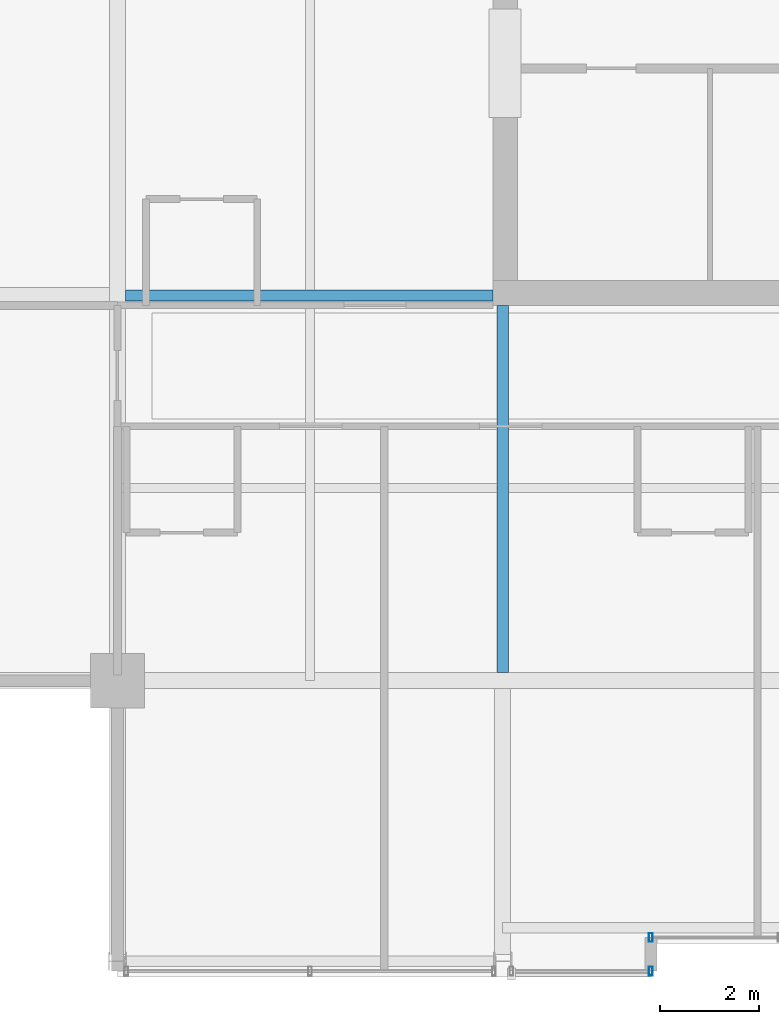
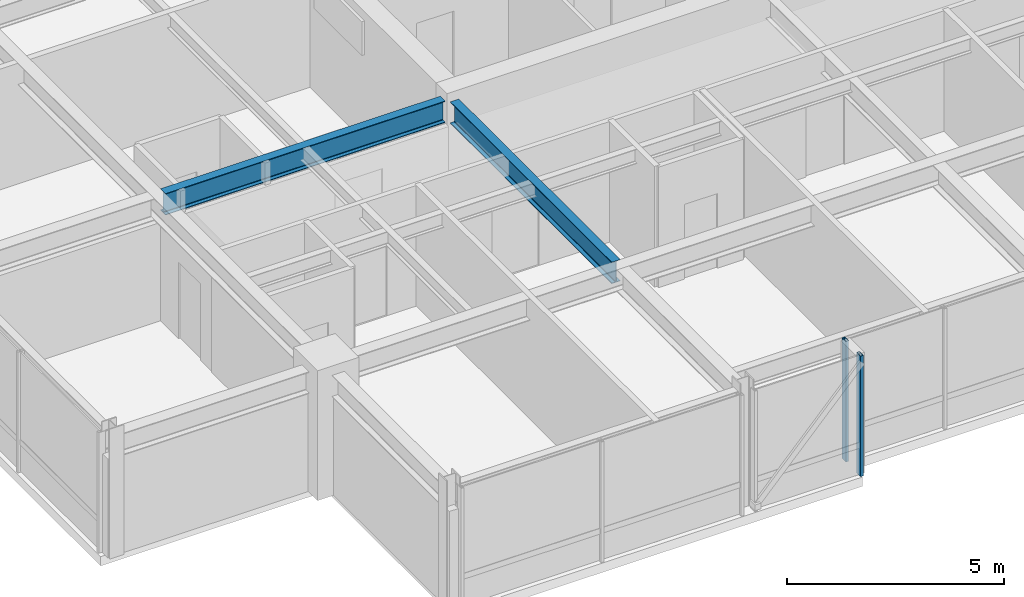
# One storey, part 6 of 33: 2 beams, 2 members, 2 elements without a shape of their own.
"""IFC4 building model written with IfcOpenShell, lengths in metres."""

from ifc_helpers import new_model, si_unit, direction, frame, origin, origin_2d, place, context, subcontext, project, spatial, hollow_rectangle, i_section, extrude, material, layer, layer_set, material_profile, profile_set, type_object, element, aggregate, save


model = new_model("IFC4")

# Units and contexts
model_context = context("Model", 3, precision=1e-05, world=origin(), true_north=direction((0.0, 1.0)))
body_context = subcontext(model_context, "Body", "Model", "MODEL_VIEW")
ifc_project = project(units=[si_unit("LENGTHUNIT", "METRE"), si_unit("AREAUNIT", "SQUARE_METRE"), si_unit("VOLUMEUNIT", "CUBIC_METRE"), si_unit("PLANEANGLEUNIT", "RADIAN"), si_unit("MASSUNIT", "GRAM", prefix="KILO")], contexts=[model_context])

# Site, building, storey
site_placement = place(None, origin())
site = spatial("IfcSite", under=ifc_project, at=site_placement, CompositionType="ELEMENT")
building_placement = place(site_placement, origin())
building = spatial("IfcBuilding", under=site, at=building_placement, Name="Drelvath Grand Hotel", CompositionType="ELEMENT")
storey_placement = place(building_placement, frame((0.0, 0.0, 268.64990234375)))
storey = spatial("IfcBuildingStorey", under=building, at=storey_placement, Name="L70", CompositionType="ELEMENT", Elevation=268.64990234375)

# Curtain wall, member
ifc_material_1 = material(Name="Platinum-Mist Anodised Aluminium Frame", Category="aluminium")
ifc_layer = layer(ifc_material_1, 0.199951171875)
ifc_layer_set = layer_set([ifc_layer], Name="Platinum-Mist Anodised Aluminium Frame")
curtain_wall_type = type_object("IfcCurtainWallType", Name="Stick Curtain Wall CW-05 Platinum Mist High-Rise", PredefinedType="NOTDEFINED", material=ifc_layer_set)
curtain_wall_1_placement = place(storey_placement, origin())
curtain_wall_1 = element("IfcCurtainWall", 1, at=curtain_wall_1_placement, inside=storey, type_object=curtain_wall_type, Name="L70 CW-05 Curtain Wall CW05-L70-SM1", PredefinedType="NOTDEFINED")
ifc_material_profile_1 = material_profile(ifc_material_1, hollow_rectangle(XDim=0.074951171875, YDim=0.179931640625, WallThickness=0.0048828125, at=origin_2d()), Name="HSS180X75X5")
ifc_profile_set_1 = profile_set([ifc_material_profile_1], Name="Platinum-Mist Anodised Aluminium Frame")
member_type = type_object("IfcMemberType", Name="Curtain Wall Vertical Mullion CW-05 HSS180X75X5", PredefinedType="MULLION", material=ifc_profile_set_1)
member_1_placement = place(storey_placement, frame((-5.39990234375, 5.60009765625, 0.0), z_axis=(0.0, 0.0, 1.0), x_axis=(1.0, 0.0, 0.0)))
member_1 = element("IfcMember", 2, at=member_1_placement, type_object=member_type, Name="CW05-L70-SM1 Mullion 3", PredefinedType="MULLION", context=body_context, shape_type="SweptSolid", body=[
    extrude(hollow_rectangle(XDim=0.074951171875, YDim=0.179931640625, WallThickness=0.0048828125, at=origin_2d()), origin(), (0.0, 0.0, 1.0), 3.39013671875),
])
aggregate(curtain_wall_1, [member_1])

curtain_wall_2_placement = place(storey_placement, origin())
curtain_wall_2 = element("IfcCurtainWall", 3, at=curtain_wall_2_placement, inside=storey, type_object=curtain_wall_type, Name="L70 CW-05 Curtain Wall CW05-L70-SW2", PredefinedType="NOTDEFINED")
member_2_placement = place(storey_placement, frame((-5.39990234375, 4.919921875, 0.0), z_axis=(0.0, 0.0, 1.0), x_axis=(1.0, 0.0, 0.0)))
member_2 = element("IfcMember", 4, at=member_2_placement, type_object=member_type, Name="CW05-L70-SW2 Mullion 1", PredefinedType="MULLION", context=body_context, shape_type="SweptSolid", body=[
    extrude(hollow_rectangle(XDim=0.074951171875, YDim=0.179931640625, WallThickness=0.0048828125, at=origin_2d()), origin(), (0.0, 0.0, 1.0), 3.39013671875),
])
aggregate(curtain_wall_2, [member_2])

# Beams
ifc_material_2 = material(Name="Steel ASTM A992 Gr 50", Category="steel")
ifc_material_profile_2 = material_profile(ifc_material_2, i_section(OverallWidth=0.228271484375, OverallDepth=0.607666015625, WebThickness=0.01123046875, FlangeThickness=0.017333984375, FilletRadius=0.02001953125, at=origin_2d()), Name="W24X76")
ifc_profile_set_2 = profile_set([ifc_material_profile_2], Name="Steel ASTM A992 Gr 50")
beam_type = type_object("IfcBeamType", Name="Primary Floor Girder W24X76", PredefinedType="BEAM", material=ifc_profile_set_2)
for number, where, z_axis, x_axis, name in (
    (5, (-16.0380859375, 18.60009765625, 3.086181640625), (1.0, 0.0, 0.0), (0.0, 1.0, 0.0), "L70 West Core Tie D"),
    (6, (-8.39990234375, 10.9619140625, 3.086181640625), (0.0, 1.0, 0.0), (-1.0, 0.0, 0.0), "L70 South Core Tie 4"),
):
    element("IfcBeam", number, at=place(storey_placement, frame(where, z_axis=z_axis, x_axis=x_axis)), inside=storey, type_object=beam_type, Name=name, PredefinedType="BEAM", context=body_context, shape_type="SweptSolid", body=[
        extrude(i_section(OverallWidth=0.228271484375, OverallDepth=0.607666015625, WebThickness=0.01123046875, FlangeThickness=0.017333984375, FilletRadius=0.02001953125, at=origin_2d()), origin(), (0.0, 0.0, 1.0), 7.43798828125),
    ])

save(model, "model.ifc")
